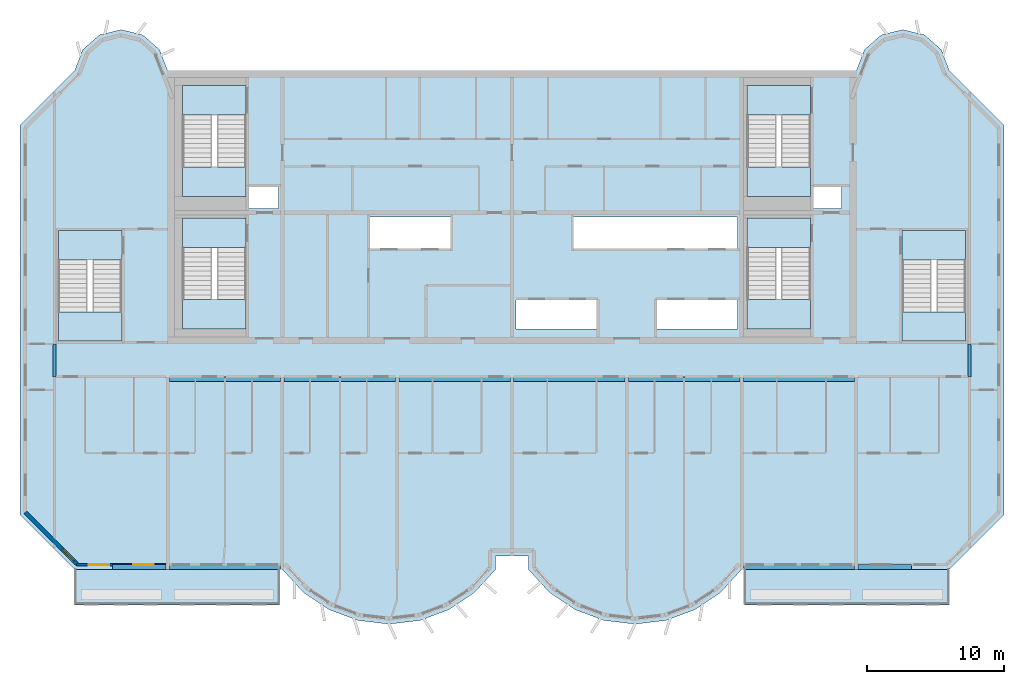
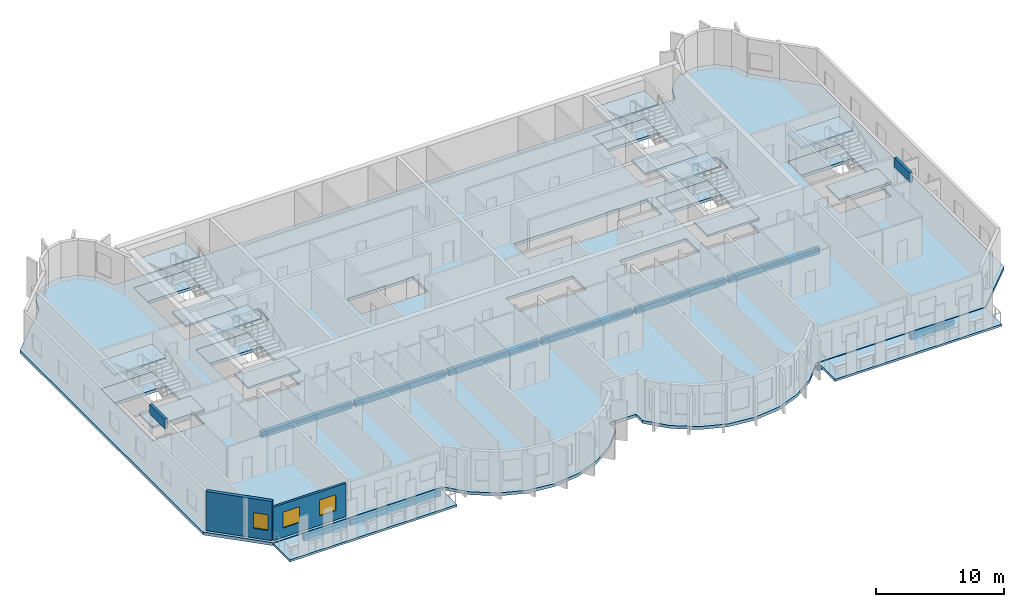
# One storey, part 1 of 12: 21 slabs, 12 beams, 3 windows, 2 walls, 3 openings, 6 elements without a shape of their own.
"""IFC4 building model written with IfcOpenShell, lengths in metres."""

from ifc_helpers import new_model, si_unit, direction, frame, frame_2d, origin, origin_2d, place, context, subcontext, project, spatial, polyline, rectangle, outline, extrude, source, transform, mapped, material, layer, layer_set, material_profile, profile_set, type_object, element, fill, aggregate, save


model = new_model("IFC4")

# Units and contexts
model_context = context("Model", 3, precision=1e-05, world=origin(), true_north=direction((0.0, 1.0)))
body_context = subcontext(model_context, "Body", "Model", "MODEL_VIEW")
ifc_project = project(units=[si_unit("LENGTHUNIT", "METRE"), si_unit("AREAUNIT", "SQUARE_METRE"), si_unit("VOLUMEUNIT", "CUBIC_METRE"), si_unit("PLANEANGLEUNIT", "RADIAN"), si_unit("MASSUNIT", "GRAM", prefix="KILO")], contexts=[model_context])

# Site, building, storey
site_placement = place(None, origin())
site = spatial("IfcSite", under=ifc_project, at=site_placement, CompositionType="ELEMENT")
building_placement = place(site_placement, origin())
building = spatial("IfcBuilding", under=site, at=building_placement, Name="Vanashikhar Sky Hotel", CompositionType="ELEMENT")
storey_placement = place(building_placement, frame((0.0, 0.0, 293.699951171875)))
storey = spatial("IfcBuildingStorey", under=building, at=storey_placement, Name="L70", CompositionType="ELEMENT", Elevation=293.699951171875)

# Beams
ifc_material_1 = material(Name="Concrete M50", Category="concrete")
ifc_material_profile_1 = material_profile(ifc_material_1, rectangle(XDim=0.25, YDim=0.89990234375, at=origin_2d()))
ifc_profile_set_1 = profile_set([ifc_material_profile_1], Name="RC 250x900 beam Concrete M50")
beam_type_1 = type_object("IfcBeamType", Name="RC 250x900 beam Concrete M50", PredefinedType="LINTEL", material=ifc_profile_set_1)
shared_shape_1 = source(origin(), body_context, "Body", "SweptSolid", [
    extrude(rectangle(XDim=0.25, YDim=0.89990234375, at=origin_2d()), origin(), (0.0, 0.0, 1.0), 2.39990234375),
])
for number, where, z_axis, x_axis, name in (
    (1, (16.925048828125, 19.60009765625, 3.27001953125), (0.0, 1.0, 0.0), (-1.0, 0.0, 0.0), "LB-L70-XW03"),
    (2, (83.875, 19.60009765625, 3.27001953125), (0.0, 1.0, 0.0), (-1.0, 0.0, 0.0), "LB-L70-XW11"),
):
    element("IfcBeam", number, at=place(storey_placement, frame(where, z_axis=z_axis, x_axis=x_axis)), inside=storey, type_object=beam_type_1, Name=name, PredefinedType="LINTEL", context=body_context, shape_type="MappedRepresentation", body=[
        mapped(shared_shape_1, transform((0.0, 0.0, 0.0), scale=1.0)),
    ])
ifc_material_profile_2 = material_profile(ifc_material_1, rectangle(XDim=0.35009765625, YDim=0.550048828125, at=origin_2d()))
ifc_profile_set_2 = profile_set([ifc_material_profile_2], Name="RC 350x550 beam Concrete M50")
beam_type_2 = type_object("IfcBeamType", Name="RC 350x550 beam Concrete M50", PredefinedType="SPANDREL", material=ifc_profile_set_2)
shared_shape_2 = source(origin(), body_context, "Body", "SweptSolid", [
    extrude(rectangle(XDim=0.35009765625, YDim=0.550048828125, at=origin_2d()), origin(), (0.0, 0.0, 1.0), 8.150146484375),
])
for number, where, z_axis, x_axis, name in (
    (3, (25.324951171875, 5.675048828125, -0.554931640625), (1.0, 0.0, 0.0), (0.0, 1.0, 0.0), "EB-L70-F01"),
    (4, (67.324951171875, 5.675048828125, -0.554931640625), (1.0, 0.0, 0.0), (0.0, 1.0, 0.0), "EB-L70-F03"),
    (5, (25.324951171875, 19.425048828125, -0.554931640625), (1.0, 0.0, 0.0), (0.0, 1.0, 0.0), "CB-L70-01"),
    (6, (50.52490234375, 19.425048828125, -0.554931640625), (1.0, 0.0, 0.0), (0.0, 1.0, 0.0), "CB-L70-04"),
    (7, (67.324951171875, 19.425048828125, -0.554931640625), (1.0, 0.0, 0.0), (0.0, 1.0, 0.0), "CB-L70-06"),
):
    element("IfcBeam", number, at=place(storey_placement, frame(where, z_axis=z_axis, x_axis=x_axis)), inside=storey, type_object=beam_type_2, Name=name, PredefinedType="SPANDREL", context=body_context, shape_type="MappedRepresentation", body=[
        mapped(shared_shape_2, transform((0.0, 0.0, 0.0), scale=1.0)),
    ])
ifc_material_profile_3 = material_profile(ifc_material_1, rectangle(XDim=0.35009765625, YDim=0.550048828125, at=origin_2d()))
ifc_profile_set_3 = profile_set([ifc_material_profile_3], Name="RC 350x550 cantilever beam Concrete M50")
beam_type_3 = type_object("IfcBeamType", Name="RC 350x550 cantilever beam Concrete M50", PredefinedType="SPANDREL", material=ifc_profile_set_3)
shared_shape_3 = source(origin(), body_context, "Body", "SweptSolid", [
    extrude(rectangle(XDim=0.35009765625, YDim=0.550048828125, at=origin_2d()), origin(), (0.0, 0.0, 1.0), 3.89990234375),
])
for number, where, z_axis, x_axis, name in (
    (8, (21.175048828125, 5.675048828125, -0.554931640625), (1.0, 0.0, 0.0), (0.0, 1.0, 0.0), "EB-L70-F02"),
    (9, (75.72509765625, 5.675048828125, -0.554931640625), (1.0, 0.0, 0.0), (0.0, 1.0, 0.0), "EB-L70-F04"),
):
    element("IfcBeam", number, at=place(storey_placement, frame(where, z_axis=z_axis, x_axis=x_axis)), inside=storey, type_object=beam_type_3, Name=name, PredefinedType="SPANDREL", context=body_context, shape_type="MappedRepresentation", body=[
        mapped(shared_shape_3, transform((0.0, 0.0, 0.0), scale=1.0)),
    ])
shared_shape_4 = source(origin(), body_context, "Body", "SweptSolid", [
    extrude(rectangle(XDim=0.35009765625, YDim=0.550048828125, at=origin_2d()), origin(), (0.0, 0.0, 1.0), 8.14990234375),
])
for number, where, z_axis, x_axis, name in (
    (10, (33.72509765625, 19.425048828125, -0.554931640625), (1.0, 0.0, 0.0), (0.0, 1.0, 0.0), "CB-L70-02"),
    (11, (42.125, 19.425048828125, -0.554931640625), (1.0, 0.0, 0.0), (0.0, 1.0, 0.0), "CB-L70-03"),
    (12, (58.925048828125, 19.425048828125, -0.554931640625), (1.0, 0.0, 0.0), (0.0, 1.0, 0.0), "CB-L70-05"),
):
    element("IfcBeam", number, at=place(storey_placement, frame(where, z_axis=z_axis, x_axis=x_axis)), inside=storey, type_object=beam_type_2, Name=name, PredefinedType="SPANDREL", context=body_context, shape_type="MappedRepresentation", body=[
        mapped(shared_shape_4, transform((0.0, 0.0, 0.0), scale=1.0)),
    ])

# Slabs
ifc_material_2 = material(Name="Concrete M40", Category="concrete")
ifc_layer_1 = layer(ifc_material_2, 0.280029296875)
ifc_layer_set_1 = layer_set([ifc_layer_1], Name="Floor slab 280 mm")
slab_type_1 = type_object("IfcSlabType", Name="Floor slab 280 mm", PredefinedType="FLOOR", material=ifc_layer_set_1)
shared_shape_5 = source(origin(), body_context, "Body", "SweptSolid", [
    extrude(outline(polyline([(49.199951171875, 5.5), (49.199951171875, 6.5), (51.60009765625, 6.5), (51.60009765625, 5.5), (53.133056640625, 3.825927734375), (55.01708984375, 2.55810546875), (57.14599609375, 1.76806640625), (59.39990234375, 1.5), (61.654052734375, 1.76806640625), (63.782958984375, 2.55810546875), (65.6669921875, 3.825927734375), (67.199951171875, 5.5), (82.39990234375, 5.5), (86.39990234375, 9.5), (86.39990234375, 38.0), (82.39990234375, 42.0), (81.81494140625, 43.527099609375), (80.587890625, 44.610107421875), (79.0, 45.0), (77.412109375, 44.610107421875), (76.18505859375, 43.527099609375), (75.60009765625, 42.0), (25.199951171875, 42.0), (24.614990234375, 43.527099609375), (23.387939453125, 44.610107421875), (21.800048828125, 45.0), (20.2119140625, 44.610107421875), (18.985107421875, 43.527099609375), (18.39990234375, 42.0), (14.39990234375, 38.0), (14.39990234375, 9.5), (18.39990234375, 5.5), (33.60009765625, 5.5), (35.133056640625, 3.825927734375), (37.01708984375, 2.55810546875), (39.14599609375, 1.76806640625), (41.39990234375, 1.5), (43.654052734375, 1.76806640625), (45.782958984375, 2.55810546875), (47.6669921875, 3.825927734375), (49.199951171875, 5.5)]), holes=[polyline([(33.300048828125, 33.60009765625), (31.050048828125, 33.60009765625), (31.050048828125, 31.89990234375), (33.300048828125, 31.89990234375), (33.300048828125, 33.60009765625)]), polyline([(39.89990234375, 31.300048828125), (39.89990234375, 29.0), (45.89990234375, 29.0), (45.89990234375, 31.300048828125), (39.89990234375, 31.300048828125)]), polyline([(50.699951171875, 25.199951171875), (50.699951171875, 23.10009765625), (56.699951171875, 23.10009765625), (56.699951171875, 25.199951171875), (50.699951171875, 25.199951171875)]), polyline([(66.89990234375, 29.0), (66.89990234375, 31.300048828125), (54.89990234375, 31.300048828125), (54.89990234375, 29.0), (66.89990234375, 29.0)]), polyline([(60.89990234375, 25.199951171875), (60.89990234375, 23.10009765625), (66.89990234375, 23.10009765625), (66.89990234375, 25.199951171875), (60.89990234375, 25.199951171875)]), polyline([(74.5, 33.60009765625), (72.35009765625, 33.60009765625), (72.35009765625, 31.89990234375), (74.5, 31.89990234375), (74.5, 33.60009765625)]), polyline([(30.949951171875, 23.10009765625), (30.949951171875, 31.199951171875), (26.300048828125, 31.199951171875), (26.300048828125, 23.10009765625), (30.949951171875, 23.10009765625)]), polyline([(72.25, 23.10009765625), (72.25, 31.199951171875), (67.60009765625, 31.199951171875), (67.60009765625, 23.10009765625), (72.25, 23.10009765625)]), polyline([(30.949951171875, 32.800048828125), (30.949951171875, 40.89990234375), (26.300048828125, 40.89990234375), (26.300048828125, 32.800048828125), (30.949951171875, 32.800048828125)]), polyline([(72.25, 32.800048828125), (72.25, 40.89990234375), (67.60009765625, 40.89990234375), (67.60009765625, 32.800048828125), (72.25, 32.800048828125)]), polyline([(83.60009765625, 22.199951171875), (83.60009765625, 30.300048828125), (78.949951171875, 30.300048828125), (78.949951171875, 22.199951171875), (83.60009765625, 22.199951171875)]), polyline([(21.85009765625, 22.199951171875), (21.85009765625, 30.300048828125), (17.199951171875, 30.300048828125), (17.199951171875, 22.199951171875), (21.85009765625, 22.199951171875)])]), origin(), (0.0, 0.0, 1.0), 0.280029296875),
])
slab_1_placement = place(storey_placement, frame((0.0, 0.0, -0.280029296875)))
element("IfcSlab", 13, at=slab_1_placement, inside=storey, type_object=slab_type_1, Name="Floor slab L70", PredefinedType="FLOOR", context=body_context, shape_type="MappedRepresentation", body=[
    mapped(shared_shape_5, transform((0.0, 0.0, 0.0), scale=1.0)),
])
ifc_layer_2 = layer(ifc_material_2, 0.199951171875)
ifc_layer_set_2 = layer_set([ifc_layer_2], Name="Balcony slab 200 mm")
slab_type_2 = type_object("IfcSlabType", Name="Balcony slab 200 mm", PredefinedType="USERDEFINED", material=ifc_layer_set_2)
shared_shape_6 = source(origin(), body_context, "Body", "SweptSolid", [
    extrude(outline(polyline([(18.39990234375, 2.89990234375), (33.39990234375, 2.89990234375), (33.39990234375, 5.5), (18.39990234375, 5.5), (18.39990234375, 2.89990234375)])), origin(), (0.0, 0.0, 1.0), 0.199951171875),
])
slab_2_placement = place(storey_placement, frame((0.0, 0.0, -0.25)))
element("IfcSlab", 14, at=slab_2_placement, inside=storey, type_object=slab_type_2, Name="Balcony slab L70 1", ObjectType="BALCONY", PredefinedType="USERDEFINED", context=body_context, shape_type="MappedRepresentation", body=[
    mapped(shared_shape_6, transform((0.0, 0.0, 0.0), scale=1.0)),
])
shared_shape_7 = source(origin(), body_context, "Body", "SweptSolid", [
    extrude(outline(polyline([(67.39990234375, 2.89990234375), (82.39990234375, 2.89990234375), (82.39990234375, 5.5), (67.39990234375, 5.5), (67.39990234375, 2.89990234375)])), origin(), (0.0, 0.0, 1.0), 0.199951171875),
])
slab_3_placement = place(storey_placement, frame((0.0, 0.0, -0.25)))
element("IfcSlab", 15, at=slab_3_placement, inside=storey, type_object=slab_type_2, Name="Balcony slab L70 2", ObjectType="BALCONY", PredefinedType="USERDEFINED", context=body_context, shape_type="MappedRepresentation", body=[
    mapped(shared_shape_7, transform((0.0, 0.0, 0.0), scale=1.0)),
])

# Stair, slabs
stair_type = type_object("IfcStairType", Name="Exit stair 2150", PredefinedType="DOUBLE_RETURN_STAIR", material=ifc_material_2)
stair_1_placement = place(storey_placement, origin())
stair_1 = element("IfcStair", 16, at=stair_1_placement, inside=storey, type_object=stair_type, Name="L70 Exit stair 1", PredefinedType="DOUBLE_RETURN_STAIR")
ifc_layer_3 = layer(ifc_material_2, 0.199951171875)
ifc_layer_set_3 = layer_set([ifc_layer_3], Name="Stair landing 200")
slab_type_3 = type_object("IfcSlabType", Name="Stair landing 200", PredefinedType="LANDING", material=ifc_layer_set_3)
shared_shape_8 = source(origin(), body_context, "Body", "SweptSolid", [
    extrude(outline(polyline([(30.949951171875, 29.050048828125), (30.949951171875, 31.199951171875), (26.300048828125, 31.199951171875), (26.300048828125, 29.050048828125), (30.949951171875, 29.050048828125)])), origin(), (0.0, 0.0, 1.0), 0.199951171875),
])
slab_4_placement = place(storey_placement, frame((0.0, 0.0, 2.466796875)))
slab_4 = element("IfcSlab", 17, at=slab_4_placement, type_object=slab_type_3, Name="ST-C1 landing 2", PredefinedType="LANDING", context=body_context, shape_type="MappedRepresentation", body=[
    mapped(shared_shape_8, transform((0.0, 0.0, 0.0), scale=1.0)),
])
shared_shape_9 = source(origin(), body_context, "Body", "SweptSolid", [
    extrude(outline(polyline([(30.949951171875, 23.10009765625), (30.949951171875, 25.25), (26.300048828125, 25.25), (26.300048828125, 23.10009765625), (30.949951171875, 23.10009765625)])), origin(), (0.0, 0.0, 1.0), 0.2001953125),
])
slab_5_placement = place(storey_placement, frame((0.0, 0.0, 1.13330078125)))
slab_5 = element("IfcSlab", 18, at=slab_5_placement, type_object=slab_type_3, Name="ST-C1 landing 1", PredefinedType="LANDING", context=body_context, shape_type="MappedRepresentation", body=[
    mapped(shared_shape_9, transform((0.0, 0.0, 0.0), scale=1.0)),
])
aggregate(stair_1, [slab_5, slab_4])

# Slab
ifc_layer_4 = layer(ifc_material_2, 0.280029296875)
ifc_layer_set_4 = layer_set([ifc_layer_4], Name="Stair floor landing 280")
slab_type_4 = type_object("IfcSlabType", Name="Stair floor landing 280", PredefinedType="LANDING", material=ifc_layer_set_4)
shared_shape_10 = source(origin(), body_context, "Body", "SweptSolid", [
    extrude(outline(polyline([(30.949951171875, 29.050048828125), (30.949951171875, 31.199951171875), (26.300048828125, 31.199951171875), (26.300048828125, 29.050048828125), (30.949951171875, 29.050048828125)])), origin(), (0.0, 0.0, 1.0), 0.280029296875),
])
slab_6_placement = place(storey_placement, frame((0.0, 0.0, -0.280029296875)))
element("IfcSlab", 19, at=slab_6_placement, inside=storey, type_object=slab_type_4, Name="Exit stair 1 floor landing", PredefinedType="LANDING", context=body_context, shape_type="MappedRepresentation", body=[
    mapped(shared_shape_10, transform((0.0, 0.0, 0.0), scale=1.0)),
])

# Stair, slabs
stair_2_placement = place(storey_placement, origin())
stair_2 = element("IfcStair", 20, at=stair_2_placement, inside=storey, type_object=stair_type, Name="L70 Exit stair 2", PredefinedType="DOUBLE_RETURN_STAIR")
shared_shape_11 = source(origin(), body_context, "Body", "SweptSolid", [
    extrude(outline(polyline([(72.25, 29.050048828125), (72.25, 31.199951171875), (67.60009765625, 31.199951171875), (67.60009765625, 29.050048828125), (72.25, 29.050048828125)])), origin(), (0.0, 0.0, 1.0), 0.199951171875),
])
slab_7_placement = place(storey_placement, frame((0.0, 0.0, 2.466796875)))
slab_7 = element("IfcSlab", 21, at=slab_7_placement, type_object=slab_type_3, Name="ST-C2 landing 2", PredefinedType="LANDING", context=body_context, shape_type="MappedRepresentation", body=[
    mapped(shared_shape_11, transform((0.0, 0.0, 0.0), scale=1.0)),
])
shared_shape_12 = source(origin(), body_context, "Body", "SweptSolid", [
    extrude(outline(polyline([(72.25, 23.10009765625), (72.25, 25.25), (67.60009765625, 25.25), (67.60009765625, 23.10009765625), (72.25, 23.10009765625)])), origin(), (0.0, 0.0, 1.0), 0.2001953125),
])
slab_8_placement = place(storey_placement, frame((0.0, 0.0, 1.13330078125)))
slab_8 = element("IfcSlab", 22, at=slab_8_placement, type_object=slab_type_3, Name="ST-C2 landing 1", PredefinedType="LANDING", context=body_context, shape_type="MappedRepresentation", body=[
    mapped(shared_shape_12, transform((0.0, 0.0, 0.0), scale=1.0)),
])
aggregate(stair_2, [slab_8, slab_7])

# Slab
shared_shape_13 = source(origin(), body_context, "Body", "SweptSolid", [
    extrude(outline(polyline([(72.25, 29.050048828125), (72.25, 31.199951171875), (67.60009765625, 31.199951171875), (67.60009765625, 29.050048828125), (72.25, 29.050048828125)])), origin(), (0.0, 0.0, 1.0), 0.280029296875),
])
slab_9_placement = place(storey_placement, frame((0.0, 0.0, -0.280029296875)))
element("IfcSlab", 23, at=slab_9_placement, inside=storey, type_object=slab_type_4, Name="Exit stair 2 floor landing", PredefinedType="LANDING", context=body_context, shape_type="MappedRepresentation", body=[
    mapped(shared_shape_13, transform((0.0, 0.0, 0.0), scale=1.0)),
])

# Stair, slabs
stair_3_placement = place(storey_placement, origin())
stair_3 = element("IfcStair", 24, at=stair_3_placement, inside=storey, type_object=stair_type, Name="L70 Exit stair 3", PredefinedType="DOUBLE_RETURN_STAIR")
shared_shape_14 = source(origin(), body_context, "Body", "SweptSolid", [
    extrude(outline(polyline([(21.85009765625, 28.14990234375), (21.85009765625, 30.300048828125), (17.199951171875, 30.300048828125), (17.199951171875, 28.14990234375), (21.85009765625, 28.14990234375)])), origin(), (0.0, 0.0, 1.0), 0.199951171875),
])
slab_10_placement = place(storey_placement, frame((0.0, 0.0, 2.466796875)))
slab_10 = element("IfcSlab", 25, at=slab_10_placement, type_object=slab_type_3, Name="ST-W landing 2", PredefinedType="LANDING", context=body_context, shape_type="MappedRepresentation", body=[
    mapped(shared_shape_14, transform((0.0, 0.0, 0.0), scale=1.0)),
])
shared_shape_15 = source(origin(), body_context, "Body", "SweptSolid", [
    extrude(outline(polyline([(21.85009765625, 22.199951171875), (21.85009765625, 24.35009765625), (17.199951171875, 24.35009765625), (17.199951171875, 22.199951171875), (21.85009765625, 22.199951171875)])), origin(), (0.0, 0.0, 1.0), 0.2001953125),
])
slab_11_placement = place(storey_placement, frame((0.0, 0.0, 1.13330078125)))
slab_11 = element("IfcSlab", 26, at=slab_11_placement, type_object=slab_type_3, Name="ST-W landing 1", PredefinedType="LANDING", context=body_context, shape_type="MappedRepresentation", body=[
    mapped(shared_shape_15, transform((0.0, 0.0, 0.0), scale=1.0)),
])
aggregate(stair_3, [slab_11, slab_10])

# Slab
shared_shape_16 = source(origin(), body_context, "Body", "SweptSolid", [
    extrude(outline(polyline([(21.85009765625, 28.14990234375), (21.85009765625, 30.300048828125), (17.199951171875, 30.300048828125), (17.199951171875, 28.14990234375), (21.85009765625, 28.14990234375)])), origin(), (0.0, 0.0, 1.0), 0.280029296875),
])
slab_12_placement = place(storey_placement, frame((0.0, 0.0, -0.280029296875)))
element("IfcSlab", 27, at=slab_12_placement, inside=storey, type_object=slab_type_4, Name="Exit stair 3 floor landing", PredefinedType="LANDING", context=body_context, shape_type="MappedRepresentation", body=[
    mapped(shared_shape_16, transform((0.0, 0.0, 0.0), scale=1.0)),
])

# Stair, slabs
stair_4_placement = place(storey_placement, origin())
stair_4 = element("IfcStair", 28, at=stair_4_placement, inside=storey, type_object=stair_type, Name="L70 Exit stair 4", PredefinedType="DOUBLE_RETURN_STAIR")
shared_shape_17 = source(origin(), body_context, "Body", "SweptSolid", [
    extrude(outline(polyline([(83.60009765625, 28.14990234375), (83.60009765625, 30.300048828125), (78.949951171875, 30.300048828125), (78.949951171875, 28.14990234375), (83.60009765625, 28.14990234375)])), origin(), (0.0, 0.0, 1.0), 0.199951171875),
])
slab_13_placement = place(storey_placement, frame((0.0, 0.0, 2.466796875)))
slab_13 = element("IfcSlab", 29, at=slab_13_placement, type_object=slab_type_3, Name="ST-E landing 2", PredefinedType="LANDING", context=body_context, shape_type="MappedRepresentation", body=[
    mapped(shared_shape_17, transform((0.0, 0.0, 0.0), scale=1.0)),
])
shared_shape_18 = source(origin(), body_context, "Body", "SweptSolid", [
    extrude(outline(polyline([(83.60009765625, 22.199951171875), (83.60009765625, 24.35009765625), (78.949951171875, 24.35009765625), (78.949951171875, 22.199951171875), (83.60009765625, 22.199951171875)])), origin(), (0.0, 0.0, 1.0), 0.2001953125),
])
slab_14_placement = place(storey_placement, frame((0.0, 0.0, 1.13330078125)))
slab_14 = element("IfcSlab", 30, at=slab_14_placement, type_object=slab_type_3, Name="ST-E landing 1", PredefinedType="LANDING", context=body_context, shape_type="MappedRepresentation", body=[
    mapped(shared_shape_18, transform((0.0, 0.0, 0.0), scale=1.0)),
])
aggregate(stair_4, [slab_14, slab_13])

# Slab
shared_shape_19 = source(origin(), body_context, "Body", "SweptSolid", [
    extrude(outline(polyline([(83.60009765625, 28.14990234375), (83.60009765625, 30.300048828125), (78.949951171875, 30.300048828125), (78.949951171875, 28.14990234375), (83.60009765625, 28.14990234375)])), origin(), (0.0, 0.0, 1.0), 0.280029296875),
])
slab_15_placement = place(storey_placement, frame((0.0, 0.0, -0.280029296875)))
element("IfcSlab", 31, at=slab_15_placement, inside=storey, type_object=slab_type_4, Name="Exit stair 4 floor landing", PredefinedType="LANDING", context=body_context, shape_type="MappedRepresentation", body=[
    mapped(shared_shape_19, transform((0.0, 0.0, 0.0), scale=1.0)),
])

# Stair, slabs
stair_5_placement = place(storey_placement, origin())
stair_5 = element("IfcStair", 32, at=stair_5_placement, inside=storey, type_object=stair_type, Name="L70 Exit stair 5", PredefinedType="DOUBLE_RETURN_STAIR")
shared_shape_20 = source(origin(), body_context, "Body", "SweptSolid", [
    extrude(outline(polyline([(30.949951171875, 38.75), (30.949951171875, 40.89990234375), (26.300048828125, 40.89990234375), (26.300048828125, 38.75), (30.949951171875, 38.75)])), origin(), (0.0, 0.0, 1.0), 0.199951171875),
])
slab_16_placement = place(storey_placement, frame((0.0, 0.0, 2.466796875)))
slab_16 = element("IfcSlab", 33, at=slab_16_placement, type_object=slab_type_3, Name="ST-C3 landing 2", PredefinedType="LANDING", context=body_context, shape_type="MappedRepresentation", body=[
    mapped(shared_shape_20, transform((0.0, 0.0, 0.0), scale=1.0)),
])
shared_shape_21 = source(origin(), body_context, "Body", "SweptSolid", [
    extrude(outline(polyline([(30.949951171875, 32.800048828125), (30.949951171875, 34.949951171875), (26.300048828125, 34.949951171875), (26.300048828125, 32.800048828125), (30.949951171875, 32.800048828125)])), origin(), (0.0, 0.0, 1.0), 0.2001953125),
])
slab_17_placement = place(storey_placement, frame((0.0, 0.0, 1.13330078125)))
slab_17 = element("IfcSlab", 34, at=slab_17_placement, type_object=slab_type_3, Name="ST-C3 landing 1", PredefinedType="LANDING", context=body_context, shape_type="MappedRepresentation", body=[
    mapped(shared_shape_21, transform((0.0, 0.0, 0.0), scale=1.0)),
])
aggregate(stair_5, [slab_17, slab_16])

# Slab
shared_shape_22 = source(origin(), body_context, "Body", "SweptSolid", [
    extrude(outline(polyline([(30.949951171875, 38.75), (30.949951171875, 40.89990234375), (26.300048828125, 40.89990234375), (26.300048828125, 38.75), (30.949951171875, 38.75)])), origin(), (0.0, 0.0, 1.0), 0.280029296875),
])
slab_18_placement = place(storey_placement, frame((0.0, 0.0, -0.280029296875)))
element("IfcSlab", 35, at=slab_18_placement, inside=storey, type_object=slab_type_4, Name="Exit stair 5 floor landing", PredefinedType="LANDING", context=body_context, shape_type="MappedRepresentation", body=[
    mapped(shared_shape_22, transform((0.0, 0.0, 0.0), scale=1.0)),
])

# Stair, slabs
stair_6_placement = place(storey_placement, origin())
stair_6 = element("IfcStair", 36, at=stair_6_placement, inside=storey, type_object=stair_type, Name="L70 Exit stair 6", PredefinedType="DOUBLE_RETURN_STAIR")
shared_shape_23 = source(origin(), body_context, "Body", "SweptSolid", [
    extrude(outline(polyline([(72.25, 38.75), (72.25, 40.89990234375), (67.60009765625, 40.89990234375), (67.60009765625, 38.75), (72.25, 38.75)])), origin(), (0.0, 0.0, 1.0), 0.199951171875),
])
slab_19_placement = place(storey_placement, frame((0.0, 0.0, 2.466796875)))
slab_19 = element("IfcSlab", 37, at=slab_19_placement, type_object=slab_type_3, Name="ST-C4 landing 2", PredefinedType="LANDING", context=body_context, shape_type="MappedRepresentation", body=[
    mapped(shared_shape_23, transform((0.0, 0.0, 0.0), scale=1.0)),
])
shared_shape_24 = source(origin(), body_context, "Body", "SweptSolid", [
    extrude(outline(polyline([(72.25, 32.800048828125), (72.25, 34.949951171875), (67.60009765625, 34.949951171875), (67.60009765625, 32.800048828125), (72.25, 32.800048828125)])), origin(), (0.0, 0.0, 1.0), 0.2001953125),
])
slab_20_placement = place(storey_placement, frame((0.0, 0.0, 1.13330078125)))
slab_20 = element("IfcSlab", 38, at=slab_20_placement, type_object=slab_type_3, Name="ST-C4 landing 1", PredefinedType="LANDING", context=body_context, shape_type="MappedRepresentation", body=[
    mapped(shared_shape_24, transform((0.0, 0.0, 0.0), scale=1.0)),
])
aggregate(stair_6, [slab_20, slab_19])

# Slab
shared_shape_25 = source(origin(), body_context, "Body", "SweptSolid", [
    extrude(outline(polyline([(72.25, 38.75), (72.25, 40.89990234375), (67.60009765625, 40.89990234375), (67.60009765625, 38.75), (72.25, 38.75)])), origin(), (0.0, 0.0, 1.0), 0.280029296875),
])
slab_21_placement = place(storey_placement, frame((0.0, 0.0, -0.280029296875)))
element("IfcSlab", 39, at=slab_21_placement, inside=storey, type_object=slab_type_4, Name="Exit stair 6 floor landing", PredefinedType="LANDING", context=body_context, shape_type="MappedRepresentation", body=[
    mapped(shared_shape_25, transform((0.0, 0.0, 0.0), scale=1.0)),
])

# Wall, openings, windows
ifc_layer_5 = layer(ifc_material_1, 0.199951171875)
ifc_layer_set_5 = layer_set([ifc_layer_5], Name="Front window wall 200")
wall_type_1 = type_object("IfcWallType", Name="Front window wall 200", PredefinedType="SOLIDWALL", material=ifc_layer_set_5)
shared_shape_26 = source(origin(), body_context, "Body", "SweptSolid", [
    extrude(rectangle(XDim=6.530029296875, YDim=0.199951171875, at=frame_2d((3.26513671875, 0.0))), origin(), (0.0, 0.0, 1.0), 3.170166015625),
])
wall_1_placement = place(storey_placement, frame((18.544921875, 5.85009765625, 0.0), z_axis=(0.0, 0.0, 1.0), x_axis=(1.0, 0.0, 0.0)))
wall_1 = element("IfcWall", 40, at=wall_1_placement, inside=storey, type_object=wall_type_1, Name="Front window wall", PredefinedType="SOLIDWALL", context=body_context, shape_type="MappedRepresentation", body=[
    mapped(shared_shape_26, transform((0.0, 0.0, 0.0), scale=1.0)),
])
shared_shape_27 = source(origin(), body_context, "Body", "SweptSolid", [
    extrude(rectangle(XDim=1.5, YDim=1.5, at=frame_2d((0.75, 0.75))), frame((0.0, 0.10986328125, 0.0), z_axis=(0.0, -1.0, 0.0), x_axis=(1.0, 0.0, 0.0)), (0.0, 0.0, 1.0), 0.219970703125),
])
opening_1_placement = place(wall_1_placement, frame((0.882568359375, 0.0, 0.89990234375)))
opening_1 = element("IfcOpeningElement", 41, at=opening_1_placement, cuts=wall_1, Name="Opening WN-1", PredefinedType="OPENING", context=body_context, shape_type="MappedRepresentation", body=[
    mapped(shared_shape_27, transform((0.0, 0.0, 0.0), scale=1.0)),
])
opening_2_placement = place(wall_1_placement, frame((4.1474609375, 0.0, 0.89990234375)))
opening_2 = element("IfcOpeningElement", 42, at=opening_2_placement, cuts=wall_1, Name="Opening WN-1", PredefinedType="OPENING", context=body_context, shape_type="MappedRepresentation", body=[
    mapped(shared_shape_27, transform((0.0, 0.0, 0.0), scale=1.0)),
])
ifc_material_3 = material(Name="Glass", Category="glass")
window_type_1 = type_object("IfcWindowType", Name="Window 1500 x 1500", PartitioningType="SINGLE_PANEL", PredefinedType="WINDOW", material=ifc_material_3)
shared_shape_28 = source(origin(), body_context, "Body", "SweptSolid", [
    extrude(rectangle(XDim=1.5, YDim=1.5, at=frame_2d((0.75, 0.75))), frame((0.0, 0.030029296875, 0.0), z_axis=(0.0, -1.0, 0.0), x_axis=(1.0, 0.0, 0.0)), (0.0, 0.0, 1.0), 0.06005859375),
])
window_1_placement = place(opening_1_placement, origin())
window_1 = element("IfcWindow", 43, at=window_1_placement, inside=storey, type_object=window_type_1, Name="Window WN-1", OverallHeight=1.5, OverallWidth=1.5, PartitioningType="SINGLE_PANEL", PredefinedType="WINDOW", context=body_context, shape_type="MappedRepresentation", body=[
    mapped(shared_shape_28, transform((0.0, 0.0, 0.0), scale=1.0)),
])
fill(opening_1, window_1)
window_2_placement = place(opening_2_placement, origin())
window_2 = element("IfcWindow", 44, at=window_2_placement, inside=storey, type_object=window_type_1, Name="Window WN-1", OverallHeight=1.5, OverallWidth=1.5, PartitioningType="SINGLE_PANEL", PredefinedType="WINDOW", context=body_context, shape_type="MappedRepresentation", body=[
    mapped(shared_shape_28, transform((0.0, 0.0, 0.0), scale=1.0)),
])
fill(opening_2, window_2)

# Wall, opening, window
ifc_layer_6 = layer(ifc_material_1, 0.300048828125)
ifc_layer_set_6 = layer_set([ifc_layer_6], Name="Lobe wall 300")
wall_type_2 = type_object("IfcWallType", Name="Lobe wall 300", PredefinedType="SOLIDWALL", material=ifc_layer_set_6)
shared_shape_29 = source(origin(), body_context, "Body", "SweptSolid", [
    extrude(rectangle(XDim=5.32568359375, YDim=0.300048828125, at=frame_2d((2.662841796875, 0.0))), origin(), (0.0, 0.0, 1.0), 3.719970703125),
])
wall_2_placement = place(storey_placement, frame((14.800048828125, 9.665771484375, 0.0), z_axis=(0.0, 0.0, 1.0), x_axis=(0.707083859269, -0.707129702361, 0.0)))
wall_2 = element("IfcWall", 45, at=wall_2_placement, inside=storey, type_object=wall_type_2, Name="Corner wall", PredefinedType="SOLIDWALL", context=body_context, shape_type="MappedRepresentation", body=[
    mapped(shared_shape_29, transform((0.0, 0.0, 0.0), scale=1.0)),
])
shared_shape_30 = source(origin(), body_context, "Body", "SweptSolid", [
    extrude(rectangle(XDim=1.199951171875, YDim=1.5, at=frame_2d((0.60009765625, 0.75))), frame((0.0, 0.16015625, 0.0), z_axis=(0.0, -1.0, 0.0), x_axis=(1.0, 0.0, 0.0)), (0.0, 0.0, 1.0), 0.320068359375),
])
opening_3_placement = place(wall_2_placement, frame((3.8154296875, 0.0, 0.89990234375)))
opening_3 = element("IfcOpeningElement", 46, at=opening_3_placement, cuts=wall_2, Name="Opening WN-3", PredefinedType="OPENING", context=body_context, shape_type="MappedRepresentation", body=[
    mapped(shared_shape_30, transform((0.0, 0.0, 0.0), scale=1.0)),
])
window_type_2 = type_object("IfcWindowType", Name="Corridor end window 1200 x 1500", PartitioningType="SINGLE_PANEL", PredefinedType="WINDOW", material=ifc_material_3)
shared_shape_31 = source(origin(), body_context, "Body", "SweptSolid", [
    extrude(rectangle(XDim=1.199951171875, YDim=1.5, at=frame_2d((0.60009765625, 0.75))), frame((0.0, 0.030029296875, 0.0), z_axis=(0.0, -1.0, 0.0), x_axis=(1.0, 0.0, 0.0)), (0.0, 0.0, 1.0), 0.06005859375),
])
window_3_placement = place(opening_3_placement, origin())
window_3 = element("IfcWindow", 47, at=window_3_placement, inside=storey, type_object=window_type_2, Name="Window WN-3", OverallHeight=1.5, OverallWidth=1.199951171875, PartitioningType="SINGLE_PANEL", PredefinedType="WINDOW", context=body_context, shape_type="MappedRepresentation", body=[
    mapped(shared_shape_31, transform((0.0, 0.0, 0.0), scale=1.0)),
])
fill(opening_3, window_3)

save(model, "model.ifc")
